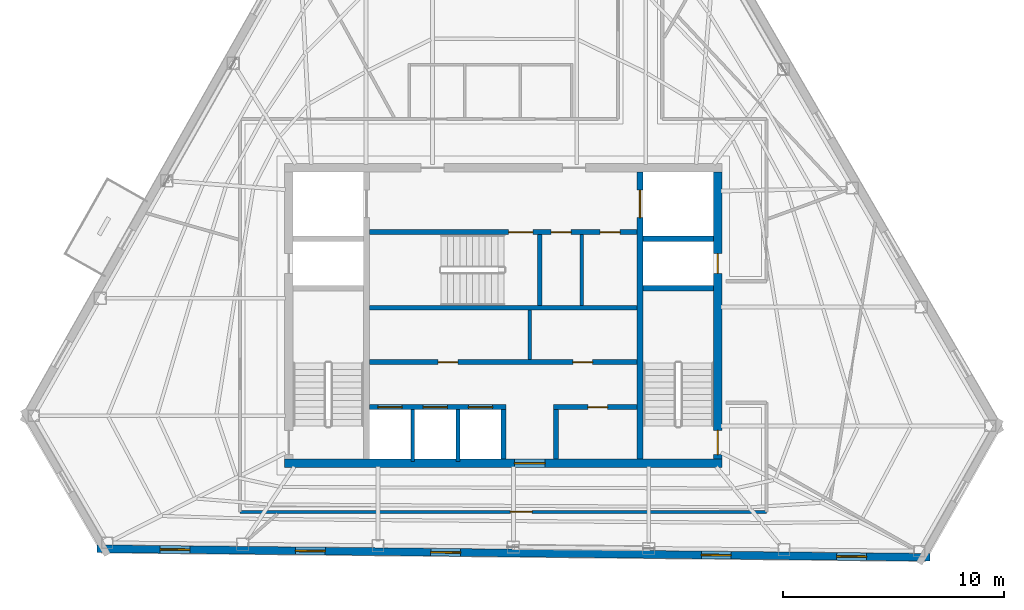
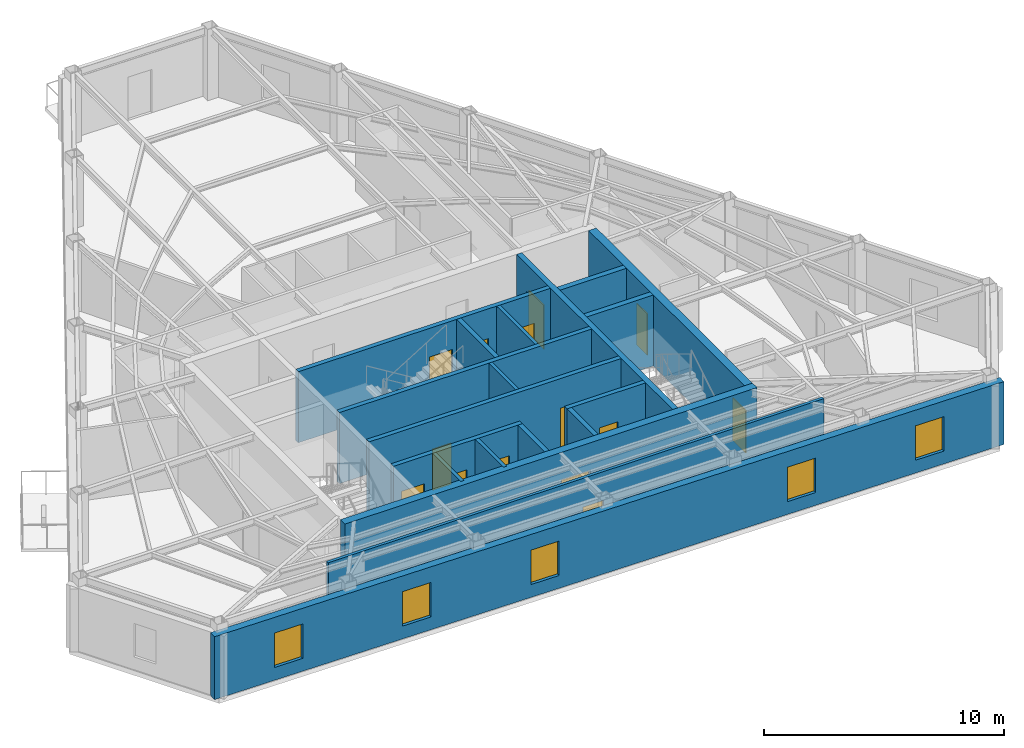
# One storey, part 5 of 10: 19 walls, 14 doors, 5 windows, 19 openings.
"""IFC4 building model written with IfcOpenShell, lengths in metres."""

from ifc_helpers import new_model, si_unit, direction, frame, frame_2d, origin, place, context, subcontext, project, spatial, rectangle, extrude, material, layer, layer_set, type_object, element, fill, save


model = new_model("IFC4")

# Units and contexts
model_context = context("Model", 3, precision=1e-05, world=origin(), true_north=direction((0.0, 1.0)))
body_context = subcontext(model_context, "Body", "Model", "MODEL_VIEW")
ifc_project = project(units=[si_unit("LENGTHUNIT", "METRE"), si_unit("AREAUNIT", "SQUARE_METRE"), si_unit("VOLUMEUNIT", "CUBIC_METRE"), si_unit("PLANEANGLEUNIT", "RADIAN"), si_unit("MASSUNIT", "GRAM", prefix="KILO")], contexts=[model_context])

# Site, building, storey
site_placement = place(None, origin())
site = spatial("IfcSite", under=ifc_project, at=site_placement, CompositionType="ELEMENT")
building_placement = place(site_placement, origin())
building = spatial("IfcBuilding", under=site, at=building_placement, Name="Kavelnor Concourse Tower", CompositionType="ELEMENT")
storey_placement = place(building_placement, frame((0.0, 0.0, 247.199951171875)))
storey = spatial("IfcBuildingStorey", under=building, at=storey_placement, Name="L62", CompositionType="ELEMENT", Elevation=247.199951171875)

# Wall, opening, door
ifc_material_1 = material(Name="Concrete C50/60", Category="concrete")
ifc_layer_1 = layer(ifc_material_1, 0.3798828125, Name="Concrete C50/60")
ifc_layer_set_1 = layer_set([ifc_layer_1], Name="Concrete C50/60")
wall_type_1 = type_object("IfcWallType", Name="WL-CORE-Z4-380", PredefinedType="SOLIDWALL", material=ifc_layer_set_1)
wall_1_placement = place(storey_placement, frame((28.10009765625, 9.409912109375, 0.0), z_axis=(0.0, 0.0, 1.0), x_axis=(1.0, 0.0, 0.0)))
wall_1 = element("IfcWall", 1, at=wall_1_placement, inside=storey, type_object=wall_type_1, Name="L62 Central Core South Shear Wall", PredefinedType="SOLIDWALL", context=body_context, shape_type="SweptSolid", body=[
    extrude(rectangle(XDim=19.7998046875, YDim=0.3798828125, at=frame_2d((9.89990234375, 0.0))), origin(), (0.0, 0.0, 1.0), 3.610107421875),
])
opening_1_placement = place(wall_1_placement, frame((10.39990234375, 0.0, 0.0)))
opening_1 = element("IfcOpeningElement", 2, at=opening_1_placement, cuts=wall_1, Name="Opening SD-140", PredefinedType="OPENING", context=body_context, shape_type="SweptSolid", body=[
    extrude(rectangle(XDim=1.39990234375, YDim=2.199951171875, at=frame_2d((0.699951171875, 1.10009765625))), frame((0.0, 0.199951171875, 0.0), z_axis=(0.0, -1.0, 0.0), x_axis=(1.0, 0.0, 0.0)), (0.0, 0.0, 1.0), 0.39990234375),
])
ifc_material_2 = material(Name="Solid-core hardwood timber", Category="wood")
door_type_1 = type_object("IfcDoorType", Name="DR-SUITE-ENTRY-1400", OperationType="NOTDEFINED", PredefinedType="DOOR", material=ifc_material_2)
door_1_placement = place(opening_1_placement, origin())
door_1 = element("IfcDoor", 3, at=door_1_placement, inside=storey, type_object=door_type_1, Name="L62 Passenger Lift Lobby Entry Door", OperationType="SINGLE_SWING_LEFT", OverallHeight=2.199951171875, OverallWidth=1.39990234375, PredefinedType="DOOR", context=body_context, shape_type="SweptSolid", body=[
    extrude(rectangle(XDim=1.39990234375, YDim=2.199951171875, at=frame_2d((0.699951171875, 1.10009765625))), frame((0.0, 0.02490234375, 0.0), z_axis=(0.0, -1.0, 0.0), x_axis=(1.0, 0.0, 0.0)), (0.0, 0.0, 1.0), 0.050048828125),
])
fill(opening_1, door_1)

# Wall, openings, doors
wall_2_placement = place(storey_placement, frame((47.7099609375, 9.60009765625, 0.0), z_axis=(0.0, 0.0, 1.0), x_axis=(0.0, 1.0, 0.0)))
wall_2 = element("IfcWall", 4, at=wall_2_placement, inside=storey, type_object=wall_type_1, Name="L62 Central Core East Shear Wall", PredefinedType="SOLIDWALL", context=body_context, shape_type="SweptSolid", body=[
    extrude(rectangle(XDim=13.0, YDim=0.3798828125, at=frame_2d((6.5, 0.0))), origin(), (0.0, 0.0, 1.0), 3.610107421875),
])
opening_2_placement = place(wall_2_placement, frame((0.199951171875, 0.0, 0.0)))
opening_2 = element("IfcOpeningElement", 5, at=opening_2_placement, cuts=wall_2, Name="Opening FD-110", PredefinedType="OPENING", context=body_context, shape_type="SweptSolid", body=[
    extrude(rectangle(XDim=1.10009765625, YDim=2.14990234375, at=frame_2d((0.550048828125, 1.074951171875))), frame((0.0, 0.199951171875, 0.0), z_axis=(0.0, -1.0, 0.0), x_axis=(1.0, 0.0, 0.0)), (0.0, 0.0, 1.0), 0.39990234375),
])
opening_3_placement = place(wall_2_placement, frame((8.39990234375, 0.0, 0.0)))
opening_3 = element("IfcOpeningElement", 6, at=opening_3_placement, cuts=wall_2, Name="Opening FD-090", PredefinedType="OPENING", context=body_context, shape_type="SweptSolid", body=[
    extrude(rectangle(XDim=0.89990234375, YDim=2.10009765625, at=frame_2d((0.449951171875, 1.050048828125))), frame((0.0, 0.199951171875, 0.0), z_axis=(0.0, -1.0, 0.0), x_axis=(1.0, 0.0, 0.0)), (0.0, 0.0, 1.0), 0.39990234375),
])
ifc_material_3 = material(Name="Steel Grade 350", Category="steel")
door_type_2 = type_object("IfcDoorType", Name="DR-RISER-FIRE-900", OperationType="NOTDEFINED", PredefinedType="DOOR", material=ifc_material_3)
door_2_placement = place(opening_3_placement, origin())
door_2 = element("IfcDoor", 7, at=door_2_placement, inside=storey, type_object=door_type_2, Name="L62 East Riser Access Door", OperationType="SINGLE_SWING_LEFT", OverallHeight=2.10009765625, OverallWidth=0.89990234375, PredefinedType="DOOR", context=body_context, shape_type="SweptSolid", body=[
    extrude(rectangle(XDim=0.89990234375, YDim=2.10009765625, at=frame_2d((0.449951171875, 1.050048828125))), frame((0.0, 0.02490234375, 0.0), z_axis=(0.0, -1.0, 0.0), x_axis=(1.0, 0.0, 0.0)), (0.0, 0.0, 1.0), 0.050048828125),
])
fill(opening_3, door_2)
door_type_3 = type_object("IfcDoorType", Name="DR-STAIR-FIRE-1100", OperationType="NOTDEFINED", PredefinedType="DOOR", material=ifc_material_3)
door_3_placement = place(opening_2_placement, origin())
door_3 = element("IfcDoor", 8, at=door_3_placement, inside=storey, type_object=door_type_3, Name="L62 Stair ST2 Fire Door", OperationType="SINGLE_SWING_RIGHT", OverallHeight=2.14990234375, OverallWidth=1.10009765625, PredefinedType="DOOR", context=body_context, shape_type="SweptSolid", body=[
    extrude(rectangle(XDim=1.10009765625, YDim=2.14990234375, at=frame_2d((0.550048828125, 1.074951171875))), frame((0.0, 0.02490234375, 0.0), z_axis=(0.0, -1.0, 0.0), x_axis=(1.0, 0.0, 0.0)), (0.0, 0.0, 1.0), 0.050048828125),
])
fill(opening_2, door_3)

# Wall, openings, windows
ifc_material_4 = material(Name="Red-ochre clay face brick masonry", Category="masonry")
ifc_layer_2 = layer(ifc_material_4, 0.35009765625, Name="Red-ochre clay face brick masonry")
ifc_layer_set_2 = layer_set([ifc_layer_2], Name="Red-ochre clay face brick masonry")
wall_type_2 = type_object("IfcWallType", Name="WL-EXT-RED-BRICK-PIER-350", PredefinedType="STANDARD", material=ifc_layer_set_2)
wall_3_placement = place(storey_placement, frame((57.314208984375, 5.152587890625, 0.0), z_axis=(0.0, 0.0, 1.0), x_axis=(-0.999946942722, 0.010301055321, 0.0)))
wall_3 = element("IfcWall", 9, at=wall_3_placement, inside=storey, type_object=wall_type_2, Name="L62 Exterior Brick Facade Wall E3", PredefinedType="STANDARD", context=body_context, shape_type="SweptSolid", body=[
    extrude(rectangle(XDim=37.70751953125, YDim=0.35009765625, at=frame_2d((18.853759765625, 0.0))), origin(), (0.0, 0.0, 1.0), 3.196044921875),
])
opening_4_placement = place(wall_3_placement, frame((33.49658203125, 0.0, 0.64990234375)))
opening_4 = element("IfcOpeningElement", 10, at=opening_4_placement, cuts=wall_3, Name="Opening W-04", PredefinedType="OPENING", context=body_context, shape_type="SweptSolid", body=[
    extrude(rectangle(XDim=1.35009765625, YDim=1.75, at=frame_2d((0.675048828125, 0.875))), frame((0.0, 0.18505859375, 0.0), z_axis=(0.0, -1.0, 0.0), x_axis=(1.0, 0.0, 0.0)), (0.0, 0.0, 1.0), 0.3701171875),
])
opening_5_placement = place(wall_3_placement, frame((27.37158203125, 0.0, 0.64990234375)))
opening_5 = element("IfcOpeningElement", 11, at=opening_5_placement, cuts=wall_3, Name="Opening W-04", PredefinedType="OPENING", context=body_context, shape_type="SweptSolid", body=[
    extrude(rectangle(XDim=1.35009765625, YDim=1.75, at=frame_2d((0.675048828125, 0.875))), frame((0.0, 0.18505859375, 0.0), z_axis=(0.0, -1.0, 0.0), x_axis=(1.0, 0.0, 0.0)), (0.0, 0.0, 1.0), 0.3701171875),
])
opening_6_placement = place(wall_3_placement, frame((21.246337890625, 0.0, 0.64990234375)))
opening_6 = element("IfcOpeningElement", 12, at=opening_6_placement, cuts=wall_3, Name="Opening W-04", PredefinedType="OPENING", context=body_context, shape_type="SweptSolid", body=[
    extrude(rectangle(XDim=1.35009765625, YDim=1.75, at=frame_2d((0.675048828125, 0.875))), frame((0.0, 0.18505859375, 0.0), z_axis=(0.0, -1.0, 0.0), x_axis=(1.0, 0.0, 0.0)), (0.0, 0.0, 1.0), 0.3701171875),
])
opening_7_placement = place(wall_3_placement, frame((8.99609375, 0.0, 0.64990234375)))
opening_7 = element("IfcOpeningElement", 13, at=opening_7_placement, cuts=wall_3, Name="Opening W-04", PredefinedType="OPENING", context=body_context, shape_type="SweptSolid", body=[
    extrude(rectangle(XDim=1.35009765625, YDim=1.75, at=frame_2d((0.675048828125, 0.875))), frame((0.0, 0.18505859375, 0.0), z_axis=(0.0, -1.0, 0.0), x_axis=(1.0, 0.0, 0.0)), (0.0, 0.0, 1.0), 0.3701171875),
])
opening_8_placement = place(wall_3_placement, frame((2.870849609375, 0.0, 0.64990234375)))
opening_8 = element("IfcOpeningElement", 14, at=opening_8_placement, cuts=wall_3, Name="Opening W-04", PredefinedType="OPENING", context=body_context, shape_type="SweptSolid", body=[
    extrude(rectangle(XDim=1.35009765625, YDim=1.75, at=frame_2d((0.675048828125, 0.875))), frame((0.0, 0.18505859375, 0.0), z_axis=(0.0, -1.0, 0.0), x_axis=(1.0, 0.0, 0.0)), (0.0, 0.0, 1.0), 0.3701171875),
])
ifc_material_5 = material(Name="Double low-E argon insulated glazing", Category="glass")
window_type = type_object("IfcWindowType", Name="WIN-PIER-Z4-1350", PartitioningType="SINGLE_PANEL", PredefinedType="WINDOW", material=ifc_material_5)
window_1_placement = place(opening_4_placement, origin())
window_1 = element("IfcWindow", 15, at=window_1_placement, inside=storey, type_object=window_type, Name="L62 Deep-Set Brick Pier Window F1-B0", OverallHeight=1.75, OverallWidth=1.35009765625, PartitioningType="SINGLE_PANEL", PredefinedType="WINDOW", context=body_context, shape_type="SweptSolid", body=[
    extrude(rectangle(XDim=1.35009765625, YDim=1.75, at=frame_2d((0.675048828125, 0.875))), frame((0.0, 0.030029296875, 0.0), z_axis=(0.0, -1.0, 0.0), x_axis=(1.0, 0.0, 0.0)), (0.0, 0.0, 1.0), 0.06005859375),
])
fill(opening_4, window_1)
window_2_placement = place(opening_5_placement, origin())
window_2 = element("IfcWindow", 16, at=window_2_placement, inside=storey, type_object=window_type, Name="L62 Deep-Set Brick Pier Window F1-B1", OverallHeight=1.75, OverallWidth=1.35009765625, PartitioningType="SINGLE_PANEL", PredefinedType="WINDOW", context=body_context, shape_type="SweptSolid", body=[
    extrude(rectangle(XDim=1.35009765625, YDim=1.75, at=frame_2d((0.675048828125, 0.875))), frame((0.0, 0.030029296875, 0.0), z_axis=(0.0, -1.0, 0.0), x_axis=(1.0, 0.0, 0.0)), (0.0, 0.0, 1.0), 0.06005859375),
])
fill(opening_5, window_2)
window_3_placement = place(opening_6_placement, origin())
window_3 = element("IfcWindow", 17, at=window_3_placement, inside=storey, type_object=window_type, Name="L62 Deep-Set Brick Pier Window F1-B2", OverallHeight=1.75, OverallWidth=1.35009765625, PartitioningType="SINGLE_PANEL", PredefinedType="WINDOW", context=body_context, shape_type="SweptSolid", body=[
    extrude(rectangle(XDim=1.35009765625, YDim=1.75, at=frame_2d((0.675048828125, 0.875))), frame((0.0, 0.030029296875, 0.0), z_axis=(0.0, -1.0, 0.0), x_axis=(1.0, 0.0, 0.0)), (0.0, 0.0, 1.0), 0.06005859375),
])
fill(opening_6, window_3)
window_4_placement = place(opening_7_placement, origin())
window_4 = element("IfcWindow", 18, at=window_4_placement, inside=storey, type_object=window_type, Name="L62 Deep-Set Brick Pier Window F1-B4", OverallHeight=1.75, OverallWidth=1.35009765625, PartitioningType="SINGLE_PANEL", PredefinedType="WINDOW", context=body_context, shape_type="SweptSolid", body=[
    extrude(rectangle(XDim=1.35009765625, YDim=1.75, at=frame_2d((0.675048828125, 0.875))), frame((0.0, 0.030029296875, 0.0), z_axis=(0.0, -1.0, 0.0), x_axis=(1.0, 0.0, 0.0)), (0.0, 0.0, 1.0), 0.06005859375),
])
fill(opening_7, window_4)
window_5_placement = place(opening_8_placement, origin())
window_5 = element("IfcWindow", 19, at=window_5_placement, inside=storey, type_object=window_type, Name="L62 Deep-Set Brick Pier Window F1-B5", OverallHeight=1.75, OverallWidth=1.35009765625, PartitioningType="SINGLE_PANEL", PredefinedType="WINDOW", context=body_context, shape_type="SweptSolid", body=[
    extrude(rectangle(XDim=1.35009765625, YDim=1.75, at=frame_2d((0.675048828125, 0.875))), frame((0.0, 0.030029296875, 0.0), z_axis=(0.0, -1.0, 0.0), x_axis=(1.0, 0.0, 0.0)), (0.0, 0.0, 1.0), 0.06005859375),
])
fill(opening_8, window_5)

# Wall, opening, door
ifc_material_6 = material(Name="Gypsum plasterboard on light-gauge steel studs", Category="steel")
ifc_layer_3 = layer(ifc_material_6, 0.14501953125, Name="Gypsum plasterboard on light-gauge steel studs")
ifc_layer_set_3 = layer_set([ifc_layer_3], Name="Gypsum plasterboard on light-gauge steel studs")
wall_type_3 = type_object("IfcWallType", Name="WL-INT-CORR-145", PredefinedType="PARTITIONING", material=ifc_layer_set_3)
wall_4_placement = place(storey_placement, frame((49.909912109375, 7.2099609375, 0.0), z_axis=(0.0, 0.0, 1.0), x_axis=(-1.0, 0.0, 0.0)))
wall_4 = element("IfcWall", 20, at=wall_4_placement, inside=storey, type_object=wall_type_3, Name="L62 Corridor Wall WL-L62-CR-09", PredefinedType="PARTITIONING", context=body_context, shape_type="SweptSolid", body=[
    extrude(rectangle(XDim=23.81982421875, YDim=0.14501953125, at=frame_2d((11.909912109375, 0.0))), origin(), (0.0, 0.0, 1.0), 3.610107421875),
])
opening_9_placement = place(wall_4_placement, frame((10.6064453125, 0.0, 0.0)))
opening_9 = element("IfcOpeningElement", 21, at=opening_9_placement, cuts=wall_4, Name="Opening OD-098", PredefinedType="OPENING", context=body_context, shape_type="SweptSolid", body=[
    extrude(rectangle(XDim=0.97998046875, YDim=2.14990234375, at=frame_2d((0.489990234375, 1.074951171875))), frame((0.0, 0.08251953125, 0.0), z_axis=(0.0, -1.0, 0.0), x_axis=(1.0, 0.0, 0.0)), (0.0, 0.0, 1.0), 0.1650390625),
])
door_type_4 = type_object("IfcDoorType", Name="DR-OFFICE-980", OperationType="NOTDEFINED", PredefinedType="DOOR", material=ifc_material_2)
door_4_placement = place(opening_9_placement, origin())
door_4 = element("IfcDoor", 22, at=door_4_placement, inside=storey, type_object=door_type_4, Name="L62 Architectural Design Studio 06 Door", OperationType="SINGLE_SWING_LEFT", OverallHeight=2.14990234375, OverallWidth=0.97998046875, PredefinedType="DOOR", context=body_context, shape_type="SweptSolid", body=[
    extrude(rectangle(XDim=0.97998046875, YDim=2.14990234375, at=frame_2d((0.489990234375, 1.074951171875))), frame((0.0, 0.02490234375, 0.0), z_axis=(0.0, -1.0, 0.0), x_axis=(1.0, 0.0, 0.0)), (0.0, 0.0, 1.0), 0.050048828125),
])
fill(opening_9, door_4)

# Walls
ifc_layer_4 = layer(ifc_material_6, 0.1650390625, Name="Gypsum plasterboard on light-gauge steel studs")
ifc_layer_set_4 = layer_set([ifc_layer_4], Name="Gypsum plasterboard on light-gauge steel studs")
wall_type_4 = type_object("IfcWallType", Name="WL-INT-FIRE-165", PredefinedType="PARTITIONING", material=ifc_layer_set_4)
for number, where, z_axis, x_axis, name in (
    (23, (33.89990234375, 9.489990234375, 0.0), (0.0, 0.0, 1.0), (0.0, 1.0, 0.0), "L62 Lift Shaft Divider LP7"),
    (24, (35.949951171875, 9.489990234375, 0.0), (0.0, 0.0, 1.0), (0.0, 1.0, 0.0), "L62 Lift Shaft Divider LP8"),
):
    element("IfcWall", number, at=place(storey_placement, frame(where, z_axis=z_axis, x_axis=x_axis)), inside=storey, type_object=wall_type_4, Name=name, PredefinedType="PARTITIONING", context=body_context, shape_type="SweptSolid", body=[
        extrude(rectangle(XDim=2.35009765625, YDim=0.1650390625, at=frame_2d((1.175048828125, 0.0))), origin(), (0.0, 0.0, 1.0), 3.610107421875),
    ])
wall_5_placement = place(storey_placement, frame((39.199951171875, 14.10009765625, 0.0), z_axis=(0.0, 0.0, 1.0), x_axis=(0.0, 1.0, 0.0)))
element("IfcWall", 25, at=wall_5_placement, inside=storey, type_object=wall_type_4, Name="L62 Reclaimed Core Partition C", PredefinedType="PARTITIONING", context=body_context, shape_type="SweptSolid", body=[
    extrude(rectangle(XDim=2.239990234375, YDim=0.1650390625, at=frame_2d((1.1201171875, 0.0))), origin(), (0.0, 0.0, 1.0), 3.610107421875),
])
wall_6_placement = place(storey_placement, frame((41.550048828125, 16.56005859375, 0.0), z_axis=(0.0, 0.0, 1.0), x_axis=(0.0, 1.0, 0.0)))
element("IfcWall", 26, at=wall_6_placement, inside=storey, type_object=wall_type_4, Name="L62 Core North Support Divider", PredefinedType="PARTITIONING", context=body_context, shape_type="SweptSolid", body=[
    extrude(rectangle(XDim=3.199951171875, YDim=0.1650390625, at=frame_2d((1.60009765625, 0.0))), origin(), (0.0, 0.0, 1.0), 3.610107421875),
])

# Wall, openings, doors
ifc_layer_5 = layer(ifc_material_1, 0.219970703125, Name="Concrete C50/60")
ifc_layer_set_5 = layer_set([ifc_layer_5], Name="Concrete C50/60")
wall_type_5 = type_object("IfcWallType", Name="WL-SHAFT-220", PredefinedType="SOLIDWALL", material=ifc_layer_set_5)
wall_7_placement = place(storey_placement, frame((31.93994140625, 19.8701171875, 0.0), z_axis=(0.0, 0.0, 1.0), x_axis=(1.0, 0.0, 0.0)))
wall_7 = element("IfcWall", 27, at=wall_7_placement, inside=storey, type_object=wall_type_5, Name="L62 Emergency Lift Lobby South Wall", PredefinedType="SOLIDWALL", context=body_context, shape_type="SweptSolid", body=[
    extrude(rectangle(XDim=12.1201171875, YDim=0.219970703125, at=frame_2d((6.06005859375, 0.0))), origin(), (0.0, 0.0, 1.0), 3.610107421875),
])
opening_10_placement = place(wall_7_placement, frame((6.300048828125, 0.0, 0.0)))
opening_10 = element("IfcOpeningElement", 28, at=opening_10_placement, cuts=wall_7, Name="Opening FD-110", PredefinedType="OPENING", context=body_context, shape_type="SweptSolid", body=[
    extrude(rectangle(XDim=1.10009765625, YDim=2.14990234375, at=frame_2d((0.550048828125, 1.074951171875))), frame((0.0, 0.1201171875, 0.0), z_axis=(0.0, -1.0, 0.0), x_axis=(1.0, 0.0, 0.0)), (0.0, 0.0, 1.0), 0.239990234375),
])
opening_11_placement = place(wall_7_placement, frame((8.22998046875, 0.0, 0.0)))
opening_11 = element("IfcOpeningElement", 29, at=opening_11_placement, cuts=wall_7, Name="Opening FD-090", PredefinedType="OPENING", context=body_context, shape_type="SweptSolid", body=[
    extrude(rectangle(XDim=0.89990234375, YDim=2.10009765625, at=frame_2d((0.449951171875, 1.050048828125))), frame((0.0, 0.1201171875, 0.0), z_axis=(0.0, -1.0, 0.0), x_axis=(1.0, 0.0, 0.0)), (0.0, 0.0, 1.0), 0.239990234375),
])
opening_12_placement = place(wall_7_placement, frame((10.449951171875, 0.0, 0.0)))
opening_12 = element("IfcOpeningElement", 30, at=opening_12_placement, cuts=wall_7, Name="Opening FD-090", PredefinedType="OPENING", context=body_context, shape_type="SweptSolid", body=[
    extrude(rectangle(XDim=0.89990234375, YDim=2.10009765625, at=frame_2d((0.449951171875, 1.050048828125))), frame((0.0, 0.1201171875, 0.0), z_axis=(0.0, -1.0, 0.0), x_axis=(1.0, 0.0, 0.0)), (0.0, 0.0, 1.0), 0.239990234375),
])
door_5_placement = place(opening_11_placement, origin())
door_5 = element("IfcDoor", 31, at=door_5_placement, inside=storey, type_object=door_type_2, Name="L62 Telecom Room Door", OperationType="SINGLE_SWING_LEFT", OverallHeight=2.10009765625, OverallWidth=0.89990234375, PredefinedType="DOOR", context=body_context, shape_type="SweptSolid", body=[
    extrude(rectangle(XDim=0.89990234375, YDim=2.10009765625, at=frame_2d((0.449951171875, 1.050048828125))), frame((0.0, 0.02490234375, 0.0), z_axis=(0.0, -1.0, 0.0), x_axis=(1.0, 0.0, 0.0)), (0.0, 0.0, 1.0), 0.050048828125),
])
fill(opening_11, door_5)
door_6_placement = place(opening_12_placement, origin())
door_6 = element("IfcDoor", 32, at=door_6_placement, inside=storey, type_object=door_type_2, Name="L62 Janitor Store Door", OperationType="SINGLE_SWING_RIGHT", OverallHeight=2.10009765625, OverallWidth=0.89990234375, PredefinedType="DOOR", context=body_context, shape_type="SweptSolid", body=[
    extrude(rectangle(XDim=0.89990234375, YDim=2.10009765625, at=frame_2d((0.449951171875, 1.050048828125))), frame((0.0, 0.02490234375, 0.0), z_axis=(0.0, -1.0, 0.0), x_axis=(1.0, 0.0, 0.0)), (0.0, 0.0, 1.0), 0.050048828125),
])
fill(opening_12, door_6)
door_7_placement = place(opening_10_placement, origin())
door_7 = element("IfcDoor", 33, at=door_7_placement, inside=storey, type_object=door_type_3, Name="L62 Stair ST3 Fire Door", OperationType="SINGLE_SWING_LEFT", OverallHeight=2.14990234375, OverallWidth=1.10009765625, PredefinedType="DOOR", context=body_context, shape_type="SweptSolid", body=[
    extrude(rectangle(XDim=1.10009765625, YDim=2.14990234375, at=frame_2d((0.550048828125, 1.074951171875))), frame((0.0, 0.02490234375, 0.0), z_axis=(0.0, -1.0, 0.0), x_axis=(1.0, 0.0, 0.0)), (0.0, 0.0, 1.0), 0.050048828125),
])
fill(opening_10, door_7)

# Walls
wall_8_placement = place(storey_placement, frame((31.93994140625, 16.449951171875, 0.0), z_axis=(0.0, 0.0, 1.0), x_axis=(1.0, 0.0, 0.0)))
element("IfcWall", 34, at=wall_8_placement, inside=storey, type_object=wall_type_5, Name="L62 Stair ST3 South Core Wall", PredefinedType="SOLIDWALL", context=body_context, shape_type="SweptSolid", body=[
    extrude(rectangle(XDim=12.1201171875, YDim=0.219970703125, at=frame_2d((6.06005859375, 0.0))), origin(), (0.0, 0.0, 1.0), 3.610107421875),
])
wall_9_placement = place(storey_placement, frame((39.64990234375, 16.56005859375, 0.0), z_axis=(0.0, 0.0, 1.0), x_axis=(0.0, 1.0, 0.0)))
element("IfcWall", 35, at=wall_9_placement, inside=storey, type_object=wall_type_5, Name="L62 Stair ST3 East Core Wall", PredefinedType="SOLIDWALL", context=body_context, shape_type="SweptSolid", body=[
    extrude(rectangle(XDim=3.199951171875, YDim=0.219970703125, at=frame_2d((1.60009765625, 0.0))), origin(), (0.0, 0.0, 1.0), 3.610107421875),
])

# Wall, openings, doors
wall_10_placement = place(storey_placement, frame((31.93994140625, 13.989990234375, 0.0), z_axis=(0.0, 0.0, 1.0), x_axis=(1.0, 0.0, 0.0)))
wall_10 = element("IfcWall", 36, at=wall_10_placement, inside=storey, type_object=wall_type_5, Name="L62 North Lift Row Shaft Wall", PredefinedType="SOLIDWALL", context=body_context, shape_type="SweptSolid", body=[
    extrude(rectangle(XDim=12.1201171875, YDim=0.219970703125, at=frame_2d((6.06005859375, 0.0))), origin(), (0.0, 0.0, 1.0), 3.610107421875),
])
opening_13_placement = place(wall_10_placement, frame((3.110107421875, 0.0, 0.0)))
opening_13 = element("IfcOpeningElement", 37, at=opening_13_placement, cuts=wall_10, Name="Opening FD-090", PredefinedType="OPENING", context=body_context, shape_type="SweptSolid", body=[
    extrude(rectangle(XDim=0.89990234375, YDim=2.10009765625, at=frame_2d((0.449951171875, 1.050048828125))), frame((0.0, 0.1201171875, 0.0), z_axis=(0.0, -1.0, 0.0), x_axis=(1.0, 0.0, 0.0)), (0.0, 0.0, 1.0), 0.239990234375),
])
opening_14_placement = place(wall_10_placement, frame((9.2099609375, 0.0, 0.0)))
opening_14 = element("IfcOpeningElement", 38, at=opening_14_placement, cuts=wall_10, Name="Opening FD-090", PredefinedType="OPENING", context=body_context, shape_type="SweptSolid", body=[
    extrude(rectangle(XDim=0.89990234375, YDim=2.10009765625, at=frame_2d((0.449951171875, 1.050048828125))), frame((0.0, 0.1201171875, 0.0), z_axis=(0.0, -1.0, 0.0), x_axis=(1.0, 0.0, 0.0)), (0.0, 0.0, 1.0), 0.239990234375),
])
door_8_placement = place(opening_13_placement, origin())
door_8 = element("IfcDoor", 39, at=door_8_placement, inside=storey, type_object=door_type_2, Name="L62 Lounge Pantry Door", OperationType="SINGLE_SWING_LEFT", OverallHeight=2.10009765625, OverallWidth=0.89990234375, PredefinedType="DOOR", context=body_context, shape_type="SweptSolid", body=[
    extrude(rectangle(XDim=0.89990234375, YDim=2.10009765625, at=frame_2d((0.449951171875, 1.050048828125))), frame((0.0, 0.02490234375, 0.0), z_axis=(0.0, -1.0, 0.0), x_axis=(1.0, 0.0, 0.0)), (0.0, 0.0, 1.0), 0.050048828125),
])
fill(opening_13, door_8)
door_9_placement = place(opening_14_placement, origin())
door_9 = element("IfcDoor", 40, at=door_9_placement, inside=storey, type_object=door_type_2, Name="L62 Facilities Store Door", OperationType="SINGLE_SWING_RIGHT", OverallHeight=2.10009765625, OverallWidth=0.89990234375, PredefinedType="DOOR", context=body_context, shape_type="SweptSolid", body=[
    extrude(rectangle(XDim=0.89990234375, YDim=2.10009765625, at=frame_2d((0.449951171875, 1.050048828125))), frame((0.0, 0.02490234375, 0.0), z_axis=(0.0, -1.0, 0.0), x_axis=(1.0, 0.0, 0.0)), (0.0, 0.0, 1.0), 0.050048828125),
])
fill(opening_14, door_9)

wall_11_placement = place(storey_placement, frame((31.93994140625, 11.949951171875, 0.0), z_axis=(0.0, 0.0, 1.0), x_axis=(1.0, 0.0, 0.0)))
wall_11 = element("IfcWall", 41, at=wall_11_placement, inside=storey, type_object=wall_type_5, Name="L62 High-Rise Lift Bank North Wall", PredefinedType="SOLIDWALL", context=body_context, shape_type="SweptSolid", body=[
    extrude(rectangle(XDim=6.18994140625, YDim=0.219970703125, at=frame_2d((3.094970703125, 0.0))), origin(), (0.0, 0.0, 1.0), 3.610107421875),
])
opening_15_placement = place(wall_11_placement, frame((0.385009765625, 0.0, 0.0)))
opening_15 = element("IfcOpeningElement", 42, at=opening_15_placement, cuts=wall_11, Name="Opening LD-110", PredefinedType="OPENING", context=body_context, shape_type="SweptSolid", body=[
    extrude(rectangle(XDim=1.10009765625, YDim=2.199951171875, at=frame_2d((0.550048828125, 1.10009765625))), frame((0.0, 0.1201171875, 0.0), z_axis=(0.0, -1.0, 0.0), x_axis=(1.0, 0.0, 0.0)), (0.0, 0.0, 1.0), 0.239990234375),
])
opening_16_placement = place(wall_11_placement, frame((2.43505859375, 0.0, 0.0)))
opening_16 = element("IfcOpeningElement", 43, at=opening_16_placement, cuts=wall_11, Name="Opening LD-110", PredefinedType="OPENING", context=body_context, shape_type="SweptSolid", body=[
    extrude(rectangle(XDim=1.10009765625, YDim=2.199951171875, at=frame_2d((0.550048828125, 1.10009765625))), frame((0.0, 0.1201171875, 0.0), z_axis=(0.0, -1.0, 0.0), x_axis=(1.0, 0.0, 0.0)), (0.0, 0.0, 1.0), 0.239990234375),
])
opening_17_placement = place(wall_11_placement, frame((4.485107421875, 0.0, 0.0)))
opening_17 = element("IfcOpeningElement", 44, at=opening_17_placement, cuts=wall_11, Name="Opening LD-110", PredefinedType="OPENING", context=body_context, shape_type="SweptSolid", body=[
    extrude(rectangle(XDim=1.10009765625, YDim=2.199951171875, at=frame_2d((0.550048828125, 1.10009765625))), frame((0.0, 0.1201171875, 0.0), z_axis=(0.0, -1.0, 0.0), x_axis=(1.0, 0.0, 0.0)), (0.0, 0.0, 1.0), 0.239990234375),
])
door_type_5 = type_object("IfcDoorType", Name="DR-LIFT-SLIDING-1100", OperationType="NOTDEFINED", PredefinedType="DOOR", material=ifc_material_3)
door_10_placement = place(opening_15_placement, origin())
door_10 = element("IfcDoor", 45, at=door_10_placement, inside=storey, type_object=door_type_5, Name="L62 Lift LP7 Landing Door", OperationType="DOUBLE_DOOR_SLIDING", OverallHeight=2.199951171875, OverallWidth=1.10009765625, PredefinedType="DOOR", context=body_context, shape_type="SweptSolid", body=[
    extrude(rectangle(XDim=1.10009765625, YDim=2.199951171875, at=frame_2d((0.550048828125, 1.10009765625))), frame((0.0, 0.02490234375, 0.0), z_axis=(0.0, -1.0, 0.0), x_axis=(1.0, 0.0, 0.0)), (0.0, 0.0, 1.0), 0.050048828125),
])
fill(opening_15, door_10)
door_11_placement = place(opening_16_placement, origin())
door_11 = element("IfcDoor", 46, at=door_11_placement, inside=storey, type_object=door_type_5, Name="L62 Lift LP8 Landing Door", OperationType="DOUBLE_DOOR_SLIDING", OverallHeight=2.199951171875, OverallWidth=1.10009765625, PredefinedType="DOOR", context=body_context, shape_type="SweptSolid", body=[
    extrude(rectangle(XDim=1.10009765625, YDim=2.199951171875, at=frame_2d((0.550048828125, 1.10009765625))), frame((0.0, 0.02490234375, 0.0), z_axis=(0.0, -1.0, 0.0), x_axis=(1.0, 0.0, 0.0)), (0.0, 0.0, 1.0), 0.050048828125),
])
fill(opening_16, door_11)
door_12_placement = place(opening_17_placement, origin())
door_12 = element("IfcDoor", 47, at=door_12_placement, inside=storey, type_object=door_type_5, Name="L62 Lift LP9 Landing Door", OperationType="DOUBLE_DOOR_SLIDING", OverallHeight=2.199951171875, OverallWidth=1.10009765625, PredefinedType="DOOR", context=body_context, shape_type="SweptSolid", body=[
    extrude(rectangle(XDim=1.10009765625, YDim=2.199951171875, at=frame_2d((0.550048828125, 1.10009765625))), frame((0.0, 0.02490234375, 0.0), z_axis=(0.0, -1.0, 0.0), x_axis=(1.0, 0.0, 0.0)), (0.0, 0.0, 1.0), 0.050048828125),
])
fill(opening_17, door_12)

# Wall, opening, door
wall_12_placement = place(storey_placement, frame((40.280029296875, 11.949951171875, 0.0), z_axis=(0.0, 0.0, 1.0), x_axis=(1.0, 0.0, 0.0)))
wall_12 = element("IfcWall", 48, at=wall_12_placement, inside=storey, type_object=wall_type_5, Name="L62 Core South Support North Wall", PredefinedType="SOLIDWALL", context=body_context, shape_type="SweptSolid", body=[
    extrude(rectangle(XDim=3.780029296875, YDim=0.219970703125, at=frame_2d((1.89013671875, 0.0))), origin(), (0.0, 0.0, 1.0), 3.610107421875),
])
opening_18_placement = place(wall_12_placement, frame((1.550048828125, 0.0, 0.0)))
opening_18 = element("IfcOpeningElement", 49, at=opening_18_placement, cuts=wall_12, Name="Opening FD-090", PredefinedType="OPENING", context=body_context, shape_type="SweptSolid", body=[
    extrude(rectangle(XDim=0.89990234375, YDim=2.10009765625, at=frame_2d((0.449951171875, 1.050048828125))), frame((0.0, 0.1201171875, 0.0), z_axis=(0.0, -1.0, 0.0), x_axis=(1.0, 0.0, 0.0)), (0.0, 0.0, 1.0), 0.239990234375),
])
door_13_placement = place(opening_18_placement, origin())
door_13 = element("IfcDoor", 50, at=door_13_placement, inside=storey, type_object=door_type_2, Name="L62 BMS Metering Door", OperationType="SINGLE_SWING_RIGHT", OverallHeight=2.10009765625, OverallWidth=0.89990234375, PredefinedType="DOOR", context=body_context, shape_type="SweptSolid", body=[
    extrude(rectangle(XDim=0.89990234375, YDim=2.10009765625, at=frame_2d((0.449951171875, 1.050048828125))), frame((0.0, 0.02490234375, 0.0), z_axis=(0.0, -1.0, 0.0), x_axis=(1.0, 0.0, 0.0)), (0.0, 0.0, 1.0), 0.050048828125),
])
fill(opening_18, door_13)

# Walls
for number, where, z_axis, x_axis, name in (
    (51, (38.02001953125, 9.60009765625, 0.0), (0.0, 0.0, 1.0), (0.0, 1.0, 0.0), "L62 Lift Lobby Throat West Wall"),
    (52, (40.389892578125, 9.60009765625, 0.0), (0.0, 0.0, 1.0), (0.0, 1.0, 0.0), "L62 Lift Lobby Throat East Wall"),
):
    element("IfcWall", number, at=place(storey_placement, frame(where, z_axis=z_axis, x_axis=x_axis)), inside=storey, type_object=wall_type_5, Name=name, PredefinedType="SOLIDWALL", context=body_context, shape_type="SweptSolid", body=[
        extrude(rectangle(XDim=2.239990234375, YDim=0.219970703125, at=frame_2d((1.1201171875, 0.0))), origin(), (0.0, 0.0, 1.0), 3.610107421875),
    ])

# Wall, opening, door
ifc_layer_6 = layer(ifc_material_1, 0.260009765625, Name="Concrete C50/60")
ifc_layer_set_6 = layer_set([ifc_layer_6], Name="Concrete C50/60")
wall_type_6 = type_object("IfcWallType", Name="WL-SHAFT-260", PredefinedType="SHEAR", material=ifc_layer_set_6)
wall_13_placement = place(storey_placement, frame((44.18994140625, 9.60009765625, 0.0), z_axis=(0.0, 0.0, 1.0), x_axis=(0.0, 1.0, 0.0)))
wall_13 = element("IfcWall", 53, at=wall_13_placement, inside=storey, type_object=wall_type_6, Name="L62 Core East Wing Shear Wall", PredefinedType="SHEAR", context=body_context, shape_type="SweptSolid", body=[
    extrude(rectangle(XDim=13.0, YDim=0.260009765625, at=frame_2d((6.5, 0.0))), origin(), (0.0, 0.0, 1.0), 3.610107421875),
])
opening_19_placement = place(wall_13_placement, frame((10.925048828125, 0.0, 0.0)))
opening_19 = element("IfcOpeningElement", 54, at=opening_19_placement, cuts=wall_13, Name="Opening LD-125", PredefinedType="OPENING", context=body_context, shape_type="SweptSolid", body=[
    extrude(rectangle(XDim=1.25, YDim=2.25, at=frame_2d((0.625, 1.125))), frame((0.0, 0.14013671875, 0.0), z_axis=(0.0, -1.0, 0.0), x_axis=(1.0, 0.0, 0.0)), (0.0, 0.0, 1.0), 0.280029296875),
])
door_type_6 = type_object("IfcDoorType", Name="DR-LIFT-SLIDING-1250", OperationType="NOTDEFINED", PredefinedType="DOOR", material=ifc_material_3)
door_14_placement = place(opening_19_placement, origin())
door_14 = element("IfcDoor", 55, at=door_14_placement, inside=storey, type_object=door_type_6, Name="L62 Emergency Lift FL2 Landing Door", OperationType="DOUBLE_DOOR_SLIDING", OverallHeight=2.25, OverallWidth=1.25, PredefinedType="DOOR", context=body_context, shape_type="SweptSolid", body=[
    extrude(rectangle(XDim=1.25, YDim=2.25, at=frame_2d((0.625, 1.125))), frame((0.0, 0.02490234375, 0.0), z_axis=(0.0, -1.0, 0.0), x_axis=(1.0, 0.0, 0.0)), (0.0, 0.0, 1.0), 0.050048828125),
])
fill(opening_19, door_14)

# Walls
for number, where, z_axis, x_axis, name in (
    (56, (44.320068359375, 17.330078125, 0.0), (0.0, 0.0, 1.0), (1.0, 0.0, 0.0), "L62 Stair ST2 North Shaft Wall"),
    (57, (44.320068359375, 19.570068359375, 0.0), (0.0, 0.0, 1.0), (1.0, 0.0, 0.0), "L62 Emergency Lift FL2 South Shaft Wall"),
):
    element("IfcWall", number, at=place(storey_placement, frame(where, z_axis=z_axis, x_axis=x_axis)), inside=storey, type_object=wall_type_6, Name=name, PredefinedType="SHEAR", context=body_context, shape_type="SweptSolid", body=[
        extrude(rectangle(XDim=3.199951171875, YDim=0.260009765625, at=frame_2d((1.60009765625, 0.0))), origin(), (0.0, 0.0, 1.0), 3.610107421875),
    ])

save(model, "model.ifc")
